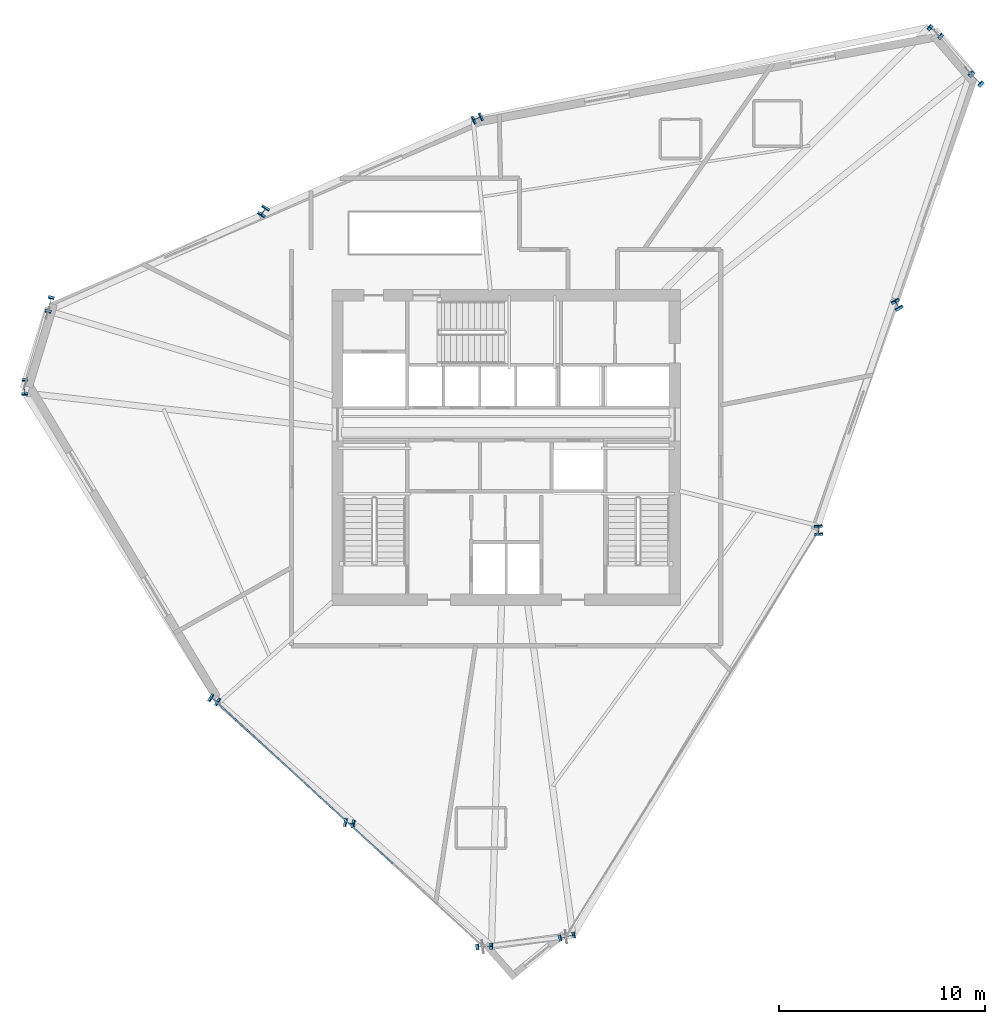
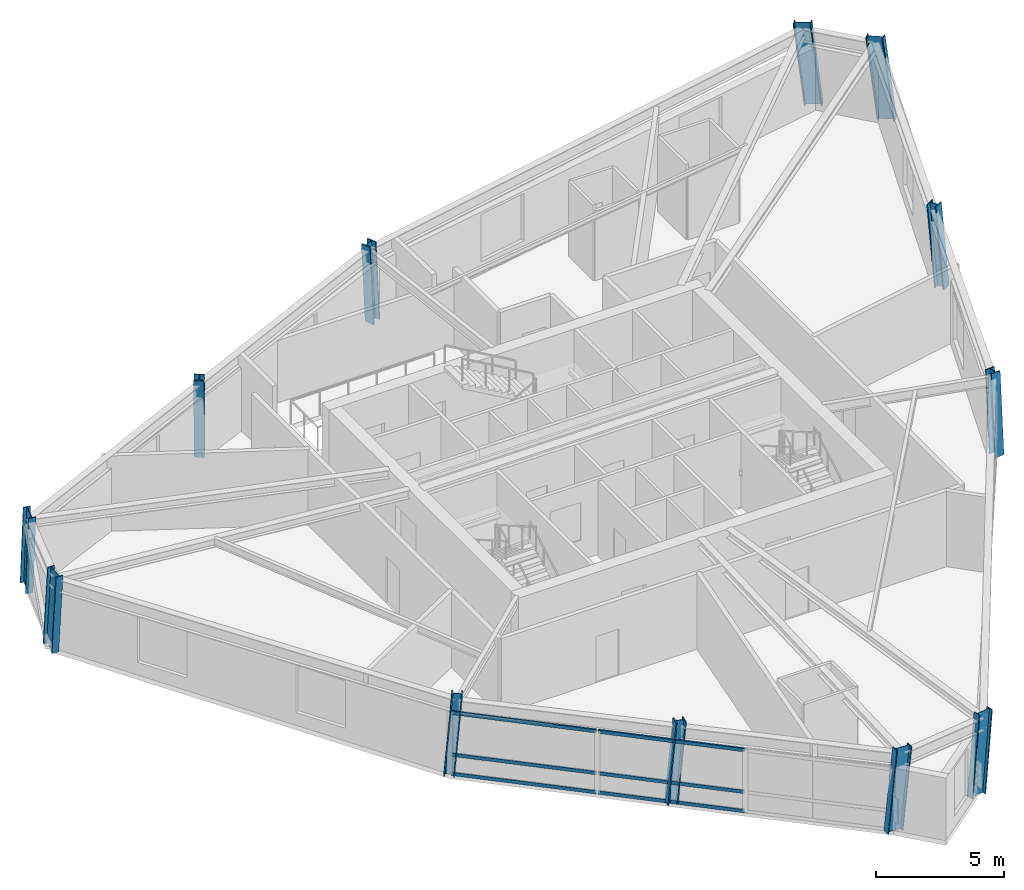
# One storey, part 1 of 13: 12 columns, 6 members, 1 element without a shape of its own.
"""IFC4 building model written with IfcOpenShell, lengths in metres."""

from ifc_helpers import new_model, si_unit, direction, frame, origin, origin_2d, place, context, subcontext, project, spatial, hollow_rectangle, i_section, extrude, source, transform, mapped, material, material_profile, profile_set, type_object, element, aggregate, save


model = new_model("IFC4")

# Units and contexts
model_context = context("Model", 3, precision=1e-05, world=origin(), true_north=direction((0.0, 1.0)))
body_context = subcontext(model_context, "Body", "Model", "MODEL_VIEW")
ifc_project = project(units=[si_unit("LENGTHUNIT", "METRE"), si_unit("AREAUNIT", "SQUARE_METRE"), si_unit("VOLUMEUNIT", "CUBIC_METRE"), si_unit("PLANEANGLEUNIT", "RADIAN"), si_unit("MASSUNIT", "GRAM", prefix="KILO")], contexts=[model_context])

# Site, building, storey
site_placement = place(None, origin())
site = spatial("IfcSite", under=ifc_project, at=site_placement, CompositionType="ELEMENT")
building_placement = place(site_placement, origin())
building = spatial("IfcBuilding", under=site, at=building_placement, Name="Olszyna Solenne Hotel", CompositionType="ELEMENT")
storey_placement = place(building_placement, frame((0.0, 0.0, 200.300048828125)))
storey = spatial("IfcBuildingStorey", under=building, at=storey_placement, Name="L53", CompositionType="ELEMENT", Elevation=200.300048828125)

# Columns
ifc_material_1 = material(Name="Steel S460M", Category="steel")
ifc_material_profile_1 = material_profile(ifc_material_1, i_section(OverallWidth=0.303955078125, OverallDepth=0.716064453125, WebThickness=0.02099609375, FlangeThickness=0.0400390625, at=origin_2d()), Name="HEM 700", Category="load-bearing")
ifc_profile_set_1 = profile_set([ifc_material_profile_1], Name="Steel S460M")
column_type_1 = type_object("IfcColumnType", Name="COL-K2", PredefinedType="COLUMN", material=ifc_profile_set_1)
shared_shape_1 = source(origin(), body_context, "Body", "SweptSolid", [
    extrude(i_section(OverallWidth=0.303955078125, OverallDepth=0.716064453125, WebThickness=0.02099609375, FlangeThickness=0.0400390625, at=origin_2d()), origin(), (0.0, 0.0, 1.0), 3.8515625),
])
column_1_placement = place(storey_placement, frame((40.88623046875, 2.892822265625, 0.0), z_axis=(0.090202649582, 0.02034789214, 0.995715544367), x_axis=(-0.220050460577, 0.975488490347, 0.0)))
element("IfcColumn", 1, at=column_1_placement, inside=storey, type_object=column_type_1, Name="Perimeter framed-tube column COL-K2 C-L53-10", PredefinedType="COLUMN", context=body_context, shape_type="MappedRepresentation", body=[
    mapped(shared_shape_1, transform((0.0, 0.0, 0.0), x_axis=(1.0, 0.0, 0.0), y_axis=(0.0, 1.0, 0.0), z_axis=(0.0, 0.0, 1.0), scale=1.0)),
])
shared_shape_2 = source(origin(), body_context, "Body", "SweptSolid", [
    extrude(i_section(OverallWidth=0.303955078125, OverallDepth=0.716064453125, WebThickness=0.02099609375, FlangeThickness=0.0400390625, at=origin_2d()), origin(), (0.0, 0.0, 1.0), 3.864013671875),
])
column_2_placement = place(storey_placement, frame((60.819580078125, 44.4033203125, 0.0), z_axis=(-0.084855028505, 0.088203737746, 0.992481599217), x_axis=(-0.720654483977, -0.693294392537, 0.0)))
element("IfcColumn", 2, at=column_2_placement, inside=storey, type_object=column_type_1, Name="Perimeter framed-tube column COL-K2 C-L53-01", PredefinedType="COLUMN", context=body_context, shape_type="MappedRepresentation", body=[
    mapped(shared_shape_2, transform((0.0, 0.0, 0.0), x_axis=(1.0, 0.0, 0.0), y_axis=(0.0, 1.0, 0.0), z_axis=(0.0, 0.0, 1.0), scale=1.0)),
])
shared_shape_3 = source(origin(), body_context, "Body", "SweptSolid", [
    extrude(i_section(OverallWidth=0.303955078125, OverallDepth=0.716064453125, WebThickness=0.02099609375, FlangeThickness=0.0400390625, at=origin_2d()), origin(), (0.0, 0.0, 1.0), 3.860107421875),
])
column_3_placement = place(storey_placement, frame((58.8505859375, 46.696533203125, 0.0), z_axis=(-0.08766060525, 0.072797515616, 0.993486859504), x_axis=(-0.638873164719, -0.769312081929, 0.0)))
element("IfcColumn", 3, at=column_3_placement, inside=storey, type_object=column_type_1, Name="Perimeter framed-tube column COL-K2 C-L53-02", PredefinedType="COLUMN", context=body_context, shape_type="MappedRepresentation", body=[
    mapped(shared_shape_3, transform((0.0, 0.0, 0.0), x_axis=(1.0, 0.0, 0.0), y_axis=(0.0, 1.0, 0.0), z_axis=(0.0, 0.0, 1.0), scale=1.0)),
])
ifc_material_profile_2 = material_profile(ifc_material_1, i_section(OverallWidth=0.412109375, OverallDepth=0.43505859375, WebThickness=0.031494140625, FlangeThickness=0.050048828125, at=origin_2d()), Name="HD 400x463", Category="load-bearing")
ifc_profile_set_2 = profile_set([ifc_material_profile_2], Name="Steel S460M")
column_type_2 = type_object("IfcColumnType", Name="COL-T3", PredefinedType="COLUMN", material=ifc_profile_set_2)
shared_shape_4 = source(origin(), body_context, "Body", "SweptSolid", [
    extrude(i_section(OverallWidth=0.412109375, OverallDepth=0.43505859375, WebThickness=0.031494140625, FlangeThickness=0.050048828125, at=origin_2d()), origin(), (0.0, 0.0, 1.0), 3.845947265625),
])
column_4_placement = place(storey_placement, frame((26.261962890625, 38.0849609375, 0.0), z_axis=(-0.041008756357, -0.063163641757, 0.997160286144), x_axis=(0.838732381967, -0.544543837941, 0.0)))
element("IfcColumn", 4, at=column_4_placement, inside=storey, type_object=column_type_2, Name="Perimeter framed-tube column COL-T3 C-L53-04", PredefinedType="COLUMN", context=body_context, shape_type="MappedRepresentation", body=[
    mapped(shared_shape_4, transform((0.0, 0.0, 0.0), x_axis=(1.0, 0.0, 0.0), y_axis=(0.0, 1.0, 0.0), z_axis=(0.0, 0.0, 1.0), scale=1.0)),
])
shared_shape_5 = source(origin(), body_context, "Body", "SweptSolid", [
    extrude(i_section(OverallWidth=0.303955078125, OverallDepth=0.716064453125, WebThickness=0.02099609375, FlangeThickness=0.0400390625, at=origin_2d()), origin(), (0.0, 0.0, 1.0), 3.8544921875),
])
column_5_placement = place(storey_placement, frame((15.89111328125, 33.6005859375, 0.0), z_axis=(-0.021409189908, -0.097988215347, 0.994957263525), x_axis=(0.976953544828, -0.213452035004, 0.0)))
element("IfcColumn", 5, at=column_5_placement, inside=storey, type_object=column_type_1, Name="Perimeter framed-tube column COL-K2 C-L53-05", PredefinedType="COLUMN", context=body_context, shape_type="MappedRepresentation", body=[
    mapped(shared_shape_5, transform((0.0, 0.0, 0.0), x_axis=(1.0, 0.0, 0.0), y_axis=(0.0, 1.0, 0.0), z_axis=(0.0, 0.0, 1.0), scale=1.0)),
])
shared_shape_6 = source(origin(), body_context, "Body", "SweptSolid", [
    extrude(i_section(OverallWidth=0.303955078125, OverallDepth=0.716064453125, WebThickness=0.02099609375, FlangeThickness=0.0400390625, at=origin_2d()), origin(), (0.0, 0.0, 1.0), 3.8505859375),
])
column_6_placement = place(storey_placement, frame((14.67333984375, 29.592041015625, 0.0), z_axis=(-0.001268108038, -0.089655238273, 0.995972052897), x_axis=(0.999899984797, -0.014142856928, 0.0)))
element("IfcColumn", 6, at=column_6_placement, inside=storey, type_object=column_type_1, Name="Perimeter framed-tube column COL-K2 C-L53-06", PredefinedType="COLUMN", context=body_context, shape_type="MappedRepresentation", body=[
    mapped(shared_shape_6, transform((0.0, 0.0, 0.0), x_axis=(1.0, 0.0, 0.0), y_axis=(0.0, 1.0, 0.0), z_axis=(0.0, 0.0, 1.0), scale=1.0)),
])
shared_shape_7 = source(origin(), body_context, "Body", "SweptSolid", [
    extrude(i_section(OverallWidth=0.412109375, OverallDepth=0.43505859375, WebThickness=0.031494140625, FlangeThickness=0.050048828125, at=origin_2d()), origin(), (0.0, 0.0, 1.0), 3.847412109375),
])
column_7_placement = place(storey_placement, frame((23.81640625, 14.402099609375, 0.0), z_axis=(0.068786554706, -0.041436919025, 0.99677048092), x_axis=(0.516005648237, 0.856585180229, 0.0)))
element("IfcColumn", 7, at=column_7_placement, inside=storey, type_object=column_type_2, Name="Perimeter framed-tube column COL-T3 C-L53-07", PredefinedType="COLUMN", context=body_context, shape_type="MappedRepresentation", body=[
    mapped(shared_shape_7, transform((0.0, 0.0, 0.0), x_axis=(1.0, 0.0, 0.0), y_axis=(0.0, 1.0, 0.0), z_axis=(0.0, 0.0, 1.0), scale=1.0)),
])
shared_shape_8 = source(origin(), body_context, "Body", "SweptSolid", [
    extrude(i_section(OverallWidth=0.303955078125, OverallDepth=0.716064453125, WebThickness=0.02099609375, FlangeThickness=0.0400390625, at=origin_2d()), origin(), (0.0, 0.0, 1.0), 3.8564453125),
])
column_8_placement = place(storey_placement, frame((36.879150390625, 2.414794921875, 0.0), z_axis=(0.105342028632, 0.005887505206, 0.994418621249), x_axis=(-0.055802338167, 0.998441835589, 0.0)))
element("IfcColumn", 8, at=column_8_placement, inside=storey, type_object=column_type_1, Name="Perimeter framed-tube column COL-K2 C-L53-09", PredefinedType="COLUMN", context=body_context, shape_type="MappedRepresentation", body=[
    mapped(shared_shape_8, transform((0.0, 0.0, 0.0), x_axis=(1.0, 0.0, 0.0), y_axis=(0.0, 1.0, 0.0), z_axis=(0.0, 0.0, 1.0), scale=1.0)),
])
shared_shape_9 = source(origin(), body_context, "Body", "SweptSolid", [
    extrude(i_section(OverallWidth=0.412109375, OverallDepth=0.43505859375, WebThickness=0.031494140625, FlangeThickness=0.050048828125, at=origin_2d()), origin(), (0.0, 0.0, 1.0), 3.843505859375),
])
column_9_placement = place(storey_placement, frame((36.6328125, 42.5693359375, 0.0), z_axis=(-0.060597679022, -0.028139173802, 0.997765557731), x_axis=(0.421167171442, -0.906983028342, 0.0)))
element("IfcColumn", 9, at=column_9_placement, inside=storey, type_object=column_type_2, Name="Perimeter framed-tube column COL-T3 C-L53-03", PredefinedType="COLUMN", context=body_context, shape_type="MappedRepresentation", body=[
    mapped(shared_shape_9, transform((0.0, 0.0, 0.0), x_axis=(1.0, 0.0, 0.0), y_axis=(0.0, 1.0, 0.0), z_axis=(0.0, 0.0, 1.0), scale=1.0)),
])
shared_shape_10 = source(origin(), body_context, "Body", "SweptSolid", [
    extrude(i_section(OverallWidth=0.412109375, OverallDepth=0.43505859375, WebThickness=0.031494140625, FlangeThickness=0.050048828125, at=origin_2d()), origin(), (0.0, 0.0, 1.0), 3.85009765625),
])
column_10_placement = place(storey_placement, frame((30.347900390625, 8.408447265625, 0.0), z_axis=(0.08712489281, -0.01775470887, 0.996039167586), x_axis=(0.199680562852, 0.97986104771, 0.0)))
element("IfcColumn", 10, at=column_10_placement, inside=storey, type_object=column_type_2, Name="Perimeter framed-tube column COL-T3 C-L53-08", PredefinedType="COLUMN", context=body_context, shape_type="MappedRepresentation", body=[
    mapped(shared_shape_10, transform((0.0, 0.0, 0.0), x_axis=(1.0, 0.0, 0.0), y_axis=(0.0, 1.0, 0.0), z_axis=(0.0, 0.0, 1.0), scale=1.0)),
])
shared_shape_11 = source(origin(), body_context, "Body", "SweptSolid", [
    extrude(i_section(OverallWidth=0.412109375, OverallDepth=0.43505859375, WebThickness=0.031494140625, FlangeThickness=0.050048828125, at=origin_2d()), origin(), (0.0, 0.0, 1.0), 3.84423828125),
])
column_11_placement = place(storey_placement, frame((53.13427734375, 22.552490234375, 0.0), z_axis=(-0.004953606094, 0.06935048531, 0.997580057927), x_axis=(-0.997458699831, -0.071247049988, 0.0)))
element("IfcColumn", 11, at=column_11_placement, inside=storey, type_object=column_type_2, Name="Perimeter framed-tube column COL-T3 C-L53-11", PredefinedType="COLUMN", context=body_context, shape_type="MappedRepresentation", body=[
    mapped(shared_shape_11, transform((0.0, 0.0, 0.0), x_axis=(1.0, 0.0, 0.0), y_axis=(0.0, 1.0, 0.0), z_axis=(0.0, 0.0, 1.0), scale=1.0)),
])
shared_shape_12 = source(origin(), body_context, "Body", "SweptSolid", [
    extrude(i_section(OverallWidth=0.412109375, OverallDepth=0.43505859375, WebThickness=0.031494140625, FlangeThickness=0.050048828125, at=origin_2d()), origin(), (0.0, 0.0, 1.0), 3.850830078125),
])
column_12_placement = place(storey_placement, frame((56.97705078125, 33.477783203125, 0.0), z_axis=(-0.045076189594, 0.078930880513, 0.995860458716), x_axis=(-0.868371879797, -0.495913579546, 0.0)))
element("IfcColumn", 12, at=column_12_placement, inside=storey, type_object=column_type_2, Name="Perimeter framed-tube column COL-T3 C-L53-12", PredefinedType="COLUMN", context=body_context, shape_type="MappedRepresentation", body=[
    mapped(shared_shape_12, transform((0.0, 0.0, 0.0), x_axis=(1.0, 0.0, 0.0), y_axis=(0.0, 1.0, 0.0), z_axis=(0.0, 0.0, 1.0), scale=1.0)),
])

# Curtain wall, members
ifc_material_2 = material(Name="Anodised bronze aluminium", Category="aluminium")
curtain_wall_type = type_object("IfcCurtainWallType", Name="CW-SYS-6", PredefinedType="NOTDEFINED", material=ifc_material_2)
curtain_wall_placement = place(storey_placement, origin())
curtain_wall = element("IfcCurtainWall", 13, at=curtain_wall_placement, inside=storey, type_object=curtain_wall_type, Name="Unitised curtain wall CW-SYS-6 CW-L53-02", PredefinedType="NOTDEFINED")
ifc_material_profile_3 = material_profile(ifc_material_2, hollow_rectangle(XDim=0.074951171875, YDim=0.159912109375, WallThickness=0.00390625, at=origin_2d()), Name="TRAN 160x75x4", Category="load-bearing")
ifc_profile_set_3 = profile_set([ifc_material_profile_3], Name="Anodised bronze aluminium")
member_type = type_object("IfcMemberType", Name="CW-T1", PredefinedType="USERDEFINED", material=ifc_profile_set_3)
shared_shape_13 = source(origin(), body_context, "Body", "SweptSolid", [
    extrude(hollow_rectangle(XDim=0.074951171875, YDim=0.159912109375, WallThickness=0.00390625, at=origin_2d()), origin(), (0.0, 0.0, 1.0), 5.789794921875),
])
member_1_placement = place(storey_placement, frame((23.87548828125, 14.34814453125, 0.037353515625), z_axis=(0.736795213502, -0.676115976265, 0.0), x_axis=(0.676115976265, 0.736795213502, 0.0)))
member_1 = element("IfcMember", 14, at=member_1_placement, type_object=member_type, Name="Curtain-wall transom CW-T1 CT-L53-02-01", ObjectType="TRANSOM", PredefinedType="USERDEFINED", context=body_context, shape_type="MappedRepresentation", body=[
    mapped(shared_shape_13, transform((0.0, 0.0, 0.0), x_axis=(1.0, 0.0, 0.0), y_axis=(0.0, 1.0, 0.0), z_axis=(0.0, 0.0, 1.0), scale=1.0)),
])
member_2_placement = place(storey_placement, frame((23.87548828125, 14.34814453125, 0.949951171875), z_axis=(0.736795213502, -0.676115976265, 0.0), x_axis=(0.676115976265, 0.736795213502, 0.0)))
member_2 = element("IfcMember", 15, at=member_2_placement, type_object=member_type, Name="Curtain-wall transom CW-T1 CT-L53-02-02", ObjectType="TRANSOM", PredefinedType="USERDEFINED", context=body_context, shape_type="MappedRepresentation", body=[
    mapped(shared_shape_13, transform((0.0, 0.0, 0.0), x_axis=(1.0, 0.0, 0.0), y_axis=(0.0, 1.0, 0.0), z_axis=(0.0, 0.0, 1.0), scale=1.0)),
])
member_3_placement = place(storey_placement, frame((23.87548828125, 14.34814453125, 2.9345703125), z_axis=(0.736795213502, -0.676115976265, 0.0), x_axis=(0.676115976265, 0.736795213502, 0.0)))
member_3 = element("IfcMember", 16, at=member_3_placement, type_object=member_type, Name="Curtain-wall transom CW-T1 CT-L53-02-03", ObjectType="TRANSOM", PredefinedType="USERDEFINED", context=body_context, shape_type="MappedRepresentation", body=[
    mapped(shared_shape_13, transform((0.0, 0.0, 0.0), x_axis=(1.0, 0.0, 0.0), y_axis=(0.0, 1.0, 0.0), z_axis=(0.0, 0.0, 1.0), scale=1.0)),
])
shared_shape_14 = source(origin(), body_context, "Body", "SweptSolid", [
    extrude(hollow_rectangle(XDim=0.074951171875, YDim=0.159912109375, WallThickness=0.00390625, at=origin_2d()), origin(), (0.0, 0.0, 1.0), 5.829833984375),
])
member_4_placement = place(storey_placement, frame((28.2001953125, 10.37939453125, 0.037353515625), z_axis=(0.736795943, -0.676115181296, 0.0), x_axis=(0.676115181296, 0.736795943, 0.0)))
member_4 = element("IfcMember", 17, at=member_4_placement, type_object=member_type, Name="Curtain-wall transom CW-T1 CT-L53-02-04", ObjectType="TRANSOM", PredefinedType="USERDEFINED", context=body_context, shape_type="MappedRepresentation", body=[
    mapped(shared_shape_14, transform((0.0, 0.0, 0.0), x_axis=(1.0, 0.0, 0.0), y_axis=(0.0, 1.0, 0.0), z_axis=(0.0, 0.0, 1.0), scale=1.0)),
])
member_5_placement = place(storey_placement, frame((28.2001953125, 10.37939453125, 0.949951171875), z_axis=(0.736795943, -0.676115181296, 0.0), x_axis=(0.676115181296, 0.736795943, 0.0)))
member_5 = element("IfcMember", 18, at=member_5_placement, type_object=member_type, Name="Curtain-wall transom CW-T1 CT-L53-02-05", ObjectType="TRANSOM", PredefinedType="USERDEFINED", context=body_context, shape_type="MappedRepresentation", body=[
    mapped(shared_shape_14, transform((0.0, 0.0, 0.0), x_axis=(1.0, 0.0, 0.0), y_axis=(0.0, 1.0, 0.0), z_axis=(0.0, 0.0, 1.0), scale=1.0)),
])
member_6_placement = place(storey_placement, frame((28.2001953125, 10.37939453125, 2.9345703125), z_axis=(0.736795943, -0.676115181296, 0.0), x_axis=(0.676115181296, 0.736795943, 0.0)))
member_6 = element("IfcMember", 19, at=member_6_placement, type_object=member_type, Name="Curtain-wall transom CW-T1 CT-L53-02-06", ObjectType="TRANSOM", PredefinedType="USERDEFINED", context=body_context, shape_type="MappedRepresentation", body=[
    mapped(shared_shape_14, transform((0.0, 0.0, 0.0), x_axis=(1.0, 0.0, 0.0), y_axis=(0.0, 1.0, 0.0), z_axis=(0.0, 0.0, 1.0), scale=1.0)),
])
aggregate(curtain_wall, [member_1, member_2, member_3, member_4, member_5, member_6])

save(model, "model.ifc")
